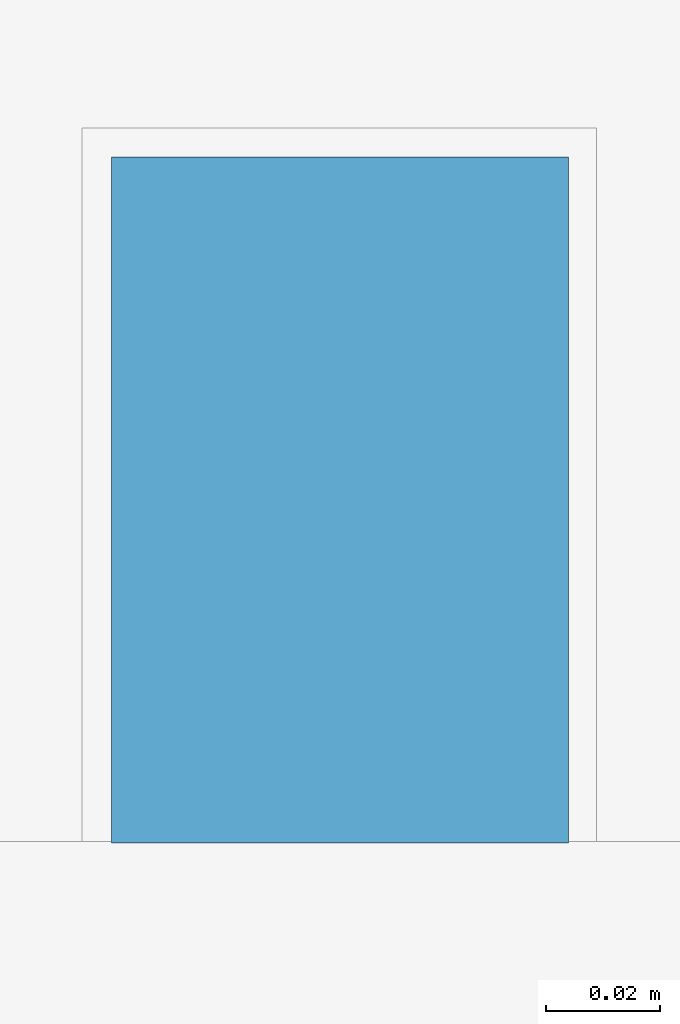
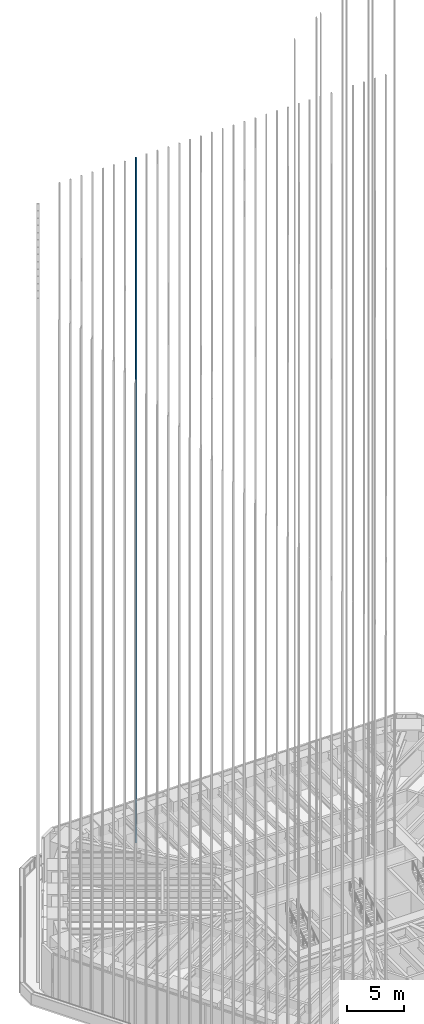
# One storey, part 164 of 228: 1 member, 1 element without a shape of its own.
"""IFC4 building model written with IfcOpenShell, lengths in metres."""

from ifc_helpers import new_model, si_unit, direction, frame, origin, origin_2d, place, context, subcontext, project, spatial, rectangle, extrude, material, material_profile, profile_set, type_object, element, aggregate, save


model = new_model("IFC4")

# Units and contexts
model_context = context("Model", 3, precision=1e-05, world=origin(), true_north=direction((0.0, 1.0)))
body_context = subcontext(model_context, "Body", "Model", "MODEL_VIEW")
ifc_project = project(units=[si_unit("LENGTHUNIT", "METRE"), si_unit("AREAUNIT", "SQUARE_METRE"), si_unit("VOLUMEUNIT", "CUBIC_METRE"), si_unit("PLANEANGLEUNIT", "RADIAN"), si_unit("MASSUNIT", "GRAM", prefix="KILO")], contexts=[model_context])

# Site, building, storey
site_placement = place(None, origin())
site = spatial("IfcSite", under=ifc_project, at=site_placement, CompositionType="ELEMENT")
building_placement = place(site_placement, origin())
building = spatial("IfcBuilding", under=site, at=building_placement, Name="Sandreach Pilgrim Tower", CompositionType="ELEMENT")
storey_placement = place(building_placement, frame((0.0, 0.0, 178.199951171875)))
storey = spatial("IfcBuildingStorey", under=building, at=storey_placement, Name="L44", CompositionType="ELEMENT", Elevation=178.199951171875)

# Curtain wall, member
ifc_material_1 = material(Name="Aluminium framed curtain wall", Category="aluminium")
curtain_wall_type = type_object("IfcCurtainWallType", Name="Upper hotel tower curtain wall", PredefinedType="NOTDEFINED", material=ifc_material_1)
curtain_wall_placement = place(storey_placement, origin())
curtain_wall = element("IfcCurtainWall", 1, at=curtain_wall_placement, inside=storey, type_object=curtain_wall_type, Name="CW-3 L44 N", PredefinedType="NOTDEFINED")
ifc_material_2 = material(Name="Extruded terracotta on aluminium core", Category="masonry")
ifc_material_profile = material_profile(ifc_material_2, rectangle(XDim=0.080078125, YDim=0.1201171875, at=origin_2d()), Name="TBN 80X120")
ifc_profile_set = profile_set([ifc_material_profile], Name="Extruded terracotta on aluminium core")
member_type = type_object("IfcMemberType", Name="Terracotta baguette north", PredefinedType="USERDEFINED", material=ifc_profile_set)
member_placement = place(storey_placement, frame((-8.798828125, 21.52001953125, 0.0), z_axis=(0.0, 0.0, 1.0), x_axis=(1.0, 0.0, 0.0)))
member = element("IfcMember", 2, at=member_placement, type_object=member_type, Name="Baguette Z3 N08", ObjectType="BAGUETTE", PredefinedType="USERDEFINED", context=body_context, shape_type="SweptSolid", body=[
    extrude(rectangle(XDim=0.080078125, YDim=0.1201171875, at=origin_2d()), origin(), (0.0, 0.0, 1.0), 73.239990234375),
])
aggregate(curtain_wall, [member])

save(model, "model.ifc")
